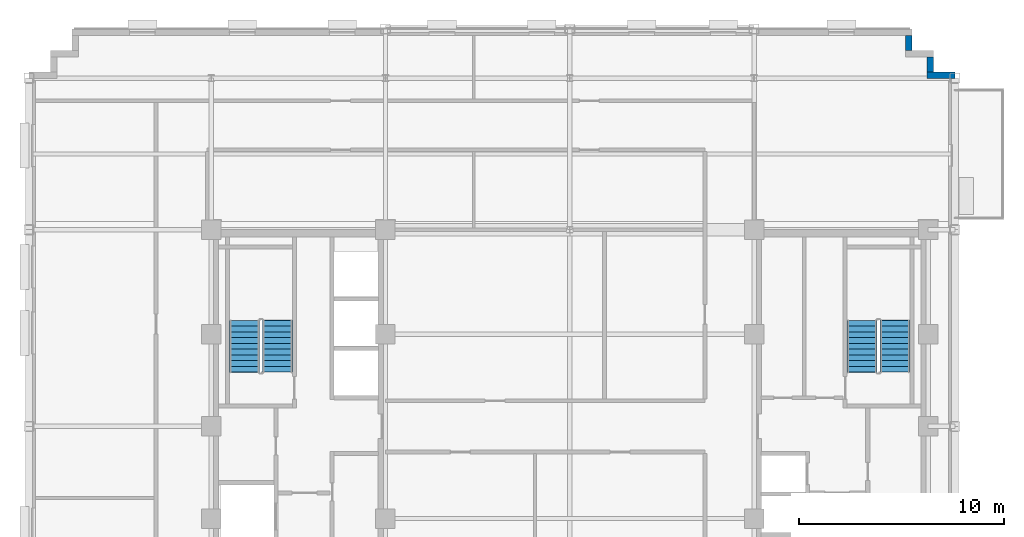
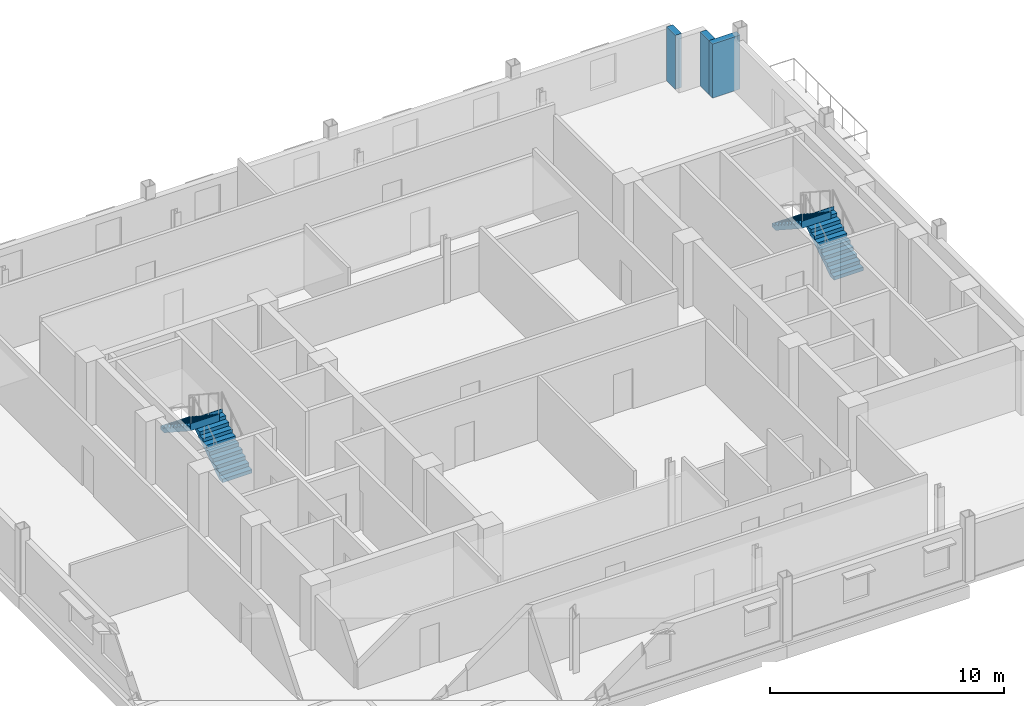
# One storey, part 9 of 13: 4 stair flights, 3 walls, 2 elements without a shape of their own.
"""IFC4 building model written with IfcOpenShell, lengths in metres."""

from ifc_helpers import new_model, si_unit, direction, frame, frame_2d, origin, place, context, subcontext, project, spatial, polyline, rectangle, outline, extrude, material, layer, layer_set, type_object, element, aggregate, save


model = new_model("IFC4")

# Units and contexts
model_context = context("Model", 3, precision=1e-05, world=origin(), true_north=direction((0.0, 1.0)))
body_context = subcontext(model_context, "Body", "Model", "MODEL_VIEW")
ifc_project = project(units=[si_unit("LENGTHUNIT", "METRE"), si_unit("AREAUNIT", "SQUARE_METRE"), si_unit("VOLUMEUNIT", "CUBIC_METRE"), si_unit("PLANEANGLEUNIT", "RADIAN"), si_unit("MASSUNIT", "GRAM", prefix="KILO")], contexts=[model_context])

# Site, building, storey
site_placement = place(None, origin())
site = spatial("IfcSite", under=ifc_project, at=site_placement, CompositionType="ELEMENT")
building_placement = place(site_placement, origin())
building = spatial("IfcBuilding", under=site, at=building_placement, Name="Nuvemarco Arch Tower", CompositionType="ELEMENT")
storey_placement = place(building_placement, frame((0.0, 0.0, 212.800048828125)))
storey = spatial("IfcBuildingStorey", under=building, at=storey_placement, Name="L56", CompositionType="ELEMENT", Elevation=212.800048828125)

# Walls
ifc_material = material(Name="Precast concrete C45/55", Category="concrete")
ifc_layer = layer(ifc_material, 0.31005859375, Name="EW-UPP-310")
ifc_layer_set = layer_set([ifc_layer], Name="Precast concrete C45/55")
wall_type = type_object("IfcWallType", Name="EW-UPP-310", PredefinedType="STANDARD", material=ifc_layer_set)
wall_placement = place(storey_placement, frame((17.43994140625, 17.14501953125, 0.0), z_axis=(0.0, 0.0, 1.0), x_axis=(1.0, 0.0, 0.0)))
element("IfcWall", 1, at=wall_placement, inside=storey, type_object=wall_type, Name="L56 exterior precast facade wall 7", PredefinedType="STANDARD", context=body_context, shape_type="SweptSolid", body=[
    extrude(rectangle(XDim=1.360107421875, YDim=0.31005859375, at=frame_2d((0.68017578125, 0.0))), origin(), (0.0, 0.0, 1.0), 2.81591796875),
])
for number, where, z_axis, x_axis, name in (
    (2, (17.594970703125, 17.2958984375, 0.0), (0.0, 0.0, 1.0), (0.0, 1.0, 0.0), "L56 exterior precast facade wall 8"),
    (3, (16.544921875, 18.345947265625, 0.0), (0.0, 0.0, 1.0), (0.0, 1.0, 0.0), "L56 exterior precast facade wall 10"),
):
    element("IfcWall", number, at=place(storey_placement, frame(where, z_axis=z_axis, x_axis=x_axis)), inside=storey, type_object=wall_type, Name=name, PredefinedType="STANDARD", context=body_context, shape_type="SweptSolid", body=[
        extrude(rectangle(XDim=0.748046875, YDim=0.31005859375, at=frame_2d((0.3740234375, 0.0))), origin(), (0.0, 0.0, 1.0), 2.81591796875),
    ])

# Stair, stair flights
stair_type = type_object("IfcStairType", Name="ST-CORE-20R", PredefinedType="HALF_TURN_STAIR", material=ifc_material)
stair_1_placement = place(storey_placement, origin())
stair_1 = element("IfcStair", 4, at=stair_1_placement, inside=storey, type_object=stair_type, Name="L56 Protected Exit Stair ST-1", PredefinedType="HALF_TURN_STAIR")
stair_flight_type = type_object("IfcStairFlightType", Name="SF-CORE-20R", PredefinedType="STRAIGHT", material=ifc_material)
stair_flight_1_placement = place(storey_placement, frame((-14.264892578125, 2.64990234375, 0.0), z_axis=(0.0, 0.0, 1.0), x_axis=(0.0, 1.0, 0.0)))
stair_flight_1 = element("IfcStairFlight", 5, at=stair_flight_1_placement, type_object=stair_flight_type, Name="ST-20R flight 1", NumberOfRisers=10, NumberOfTreads=9, PredefinedType="STRAIGHT", RiserHeight=0.1825, TreadLength=0.28, context=body_context, shape_type="SweptSolid", body=[
    extrude(outline(polyline([(0.0, 0.0), (0.0, 0.1826171875), (0.280029296875, 0.1826171875), (0.280029296875, 0.364990234375), (0.56005859375, 0.364990234375), (0.56005859375, 0.547607421875), (0.840087890625, 0.547607421875), (0.840087890625, 0.72998046875), (1.1201171875, 0.72998046875), (1.1201171875, 0.91259765625), (1.39990234375, 0.91259765625), (1.39990234375, 1.094970703125), (1.679931640625, 1.094970703125), (1.679931640625, 1.277587890625), (1.9599609375, 1.277587890625), (1.9599609375, 1.4599609375), (2.239990234375, 1.4599609375), (2.239990234375, 1.642578125), (2.52001953125, 1.642578125), (2.52001953125, 1.824951171875), (2.5400390625, 1.824951171875), (2.5400390625, 1.45166015625), (0.312744140625, 0.0), (0.0, 0.0)])), frame((0.0, 0.72509765625, 0.0), z_axis=(0.0, -1.0, 0.0), x_axis=(1.0, 0.0, 0.0)), (0.0, 0.0, 1.0), 1.449951171875),
])
stair_flight_2_placement = place(storey_placement, frame((-15.875, 5.169921875, 1.824951171875), z_axis=(0.0, 0.0, 1.0), x_axis=(0.0, -1.0, 0.0)))
stair_flight_2 = element("IfcStairFlight", 6, at=stair_flight_2_placement, type_object=stair_flight_type, Name="ST-20R flight 2", NumberOfRisers=10, NumberOfTreads=9, PredefinedType="STRAIGHT", RiserHeight=0.1825, TreadLength=0.28, context=body_context, shape_type="SweptSolid", body=[
    extrude(outline(polyline([(0.0, 0.0), (0.0, 0.1826171875), (0.280029296875, 0.1826171875), (0.280029296875, 0.364990234375), (0.56005859375, 0.364990234375), (0.56005859375, 0.547607421875), (0.840087890625, 0.547607421875), (0.840087890625, 0.72998046875), (1.1201171875, 0.72998046875), (1.1201171875, 0.91259765625), (1.39990234375, 0.91259765625), (1.39990234375, 1.094970703125), (1.679931640625, 1.094970703125), (1.679931640625, 1.277587890625), (1.9599609375, 1.277587890625), (1.9599609375, 1.4599609375), (2.239990234375, 1.4599609375), (2.239990234375, 1.642578125), (2.52001953125, 1.642578125), (2.52001953125, 1.824951171875), (2.5400390625, 1.824951171875), (2.5400390625, 1.45166015625), (0.312744140625, 0.0), (0.0, 0.0)])), frame((0.0, 0.72509765625, 0.0), z_axis=(0.0, -1.0, 0.0), x_axis=(1.0, 0.0, 0.0)), (0.0, 0.0, 1.0), 1.449951171875),
])
aggregate(stair_1, [stair_flight_1, stair_flight_2])

stair_2_placement = place(storey_placement, origin())
stair_2 = element("IfcStair", 7, at=stair_2_placement, inside=storey, type_object=stair_type, Name="L56 Protected Exit Stair ST-2", PredefinedType="HALF_TURN_STAIR")
stair_flight_3_placement = place(storey_placement, frame((15.875, 2.64990234375, 0.0), z_axis=(0.0, 0.0, 1.0), x_axis=(0.0, 1.0, 0.0)))
stair_flight_3 = element("IfcStairFlight", 8, at=stair_flight_3_placement, type_object=stair_flight_type, Name="ST-20R flight 1", NumberOfRisers=10, NumberOfTreads=9, PredefinedType="STRAIGHT", RiserHeight=0.1825, TreadLength=0.28, context=body_context, shape_type="SweptSolid", body=[
    extrude(outline(polyline([(0.0, 0.0), (0.0, 0.1826171875), (0.280029296875, 0.1826171875), (0.280029296875, 0.364990234375), (0.56005859375, 0.364990234375), (0.56005859375, 0.547607421875), (0.840087890625, 0.547607421875), (0.840087890625, 0.72998046875), (1.1201171875, 0.72998046875), (1.1201171875, 0.91259765625), (1.39990234375, 0.91259765625), (1.39990234375, 1.094970703125), (1.679931640625, 1.094970703125), (1.679931640625, 1.277587890625), (1.9599609375, 1.277587890625), (1.9599609375, 1.4599609375), (2.239990234375, 1.4599609375), (2.239990234375, 1.642578125), (2.52001953125, 1.642578125), (2.52001953125, 1.824951171875), (2.5400390625, 1.824951171875), (2.5400390625, 1.45166015625), (0.312744140625, 0.0), (0.0, 0.0)])), frame((0.0, 0.72509765625, 0.0), z_axis=(0.0, -1.0, 0.0), x_axis=(1.0, 0.0, 0.0)), (0.0, 0.0, 1.0), 1.449951171875),
])
stair_flight_4_placement = place(storey_placement, frame((14.264892578125, 5.169921875, 1.824951171875), z_axis=(0.0, 0.0, 1.0), x_axis=(0.0, -1.0, 0.0)))
stair_flight_4 = element("IfcStairFlight", 9, at=stair_flight_4_placement, type_object=stair_flight_type, Name="ST-20R flight 2", NumberOfRisers=10, NumberOfTreads=9, PredefinedType="STRAIGHT", RiserHeight=0.1825, TreadLength=0.28, context=body_context, shape_type="SweptSolid", body=[
    extrude(outline(polyline([(0.0, 0.0), (0.0, 0.1826171875), (0.280029296875, 0.1826171875), (0.280029296875, 0.364990234375), (0.56005859375, 0.364990234375), (0.56005859375, 0.547607421875), (0.840087890625, 0.547607421875), (0.840087890625, 0.72998046875), (1.1201171875, 0.72998046875), (1.1201171875, 0.91259765625), (1.39990234375, 0.91259765625), (1.39990234375, 1.094970703125), (1.679931640625, 1.094970703125), (1.679931640625, 1.277587890625), (1.9599609375, 1.277587890625), (1.9599609375, 1.4599609375), (2.239990234375, 1.4599609375), (2.239990234375, 1.642578125), (2.52001953125, 1.642578125), (2.52001953125, 1.824951171875), (2.5400390625, 1.824951171875), (2.5400390625, 1.45166015625), (0.312744140625, 0.0), (0.0, 0.0)])), frame((0.0, 0.72509765625, 0.0), z_axis=(0.0, -1.0, 0.0), x_axis=(1.0, 0.0, 0.0)), (0.0, 0.0, 1.0), 1.449951171875),
])
aggregate(stair_2, [stair_flight_3, stair_flight_4])

save(model, "model.ifc")
